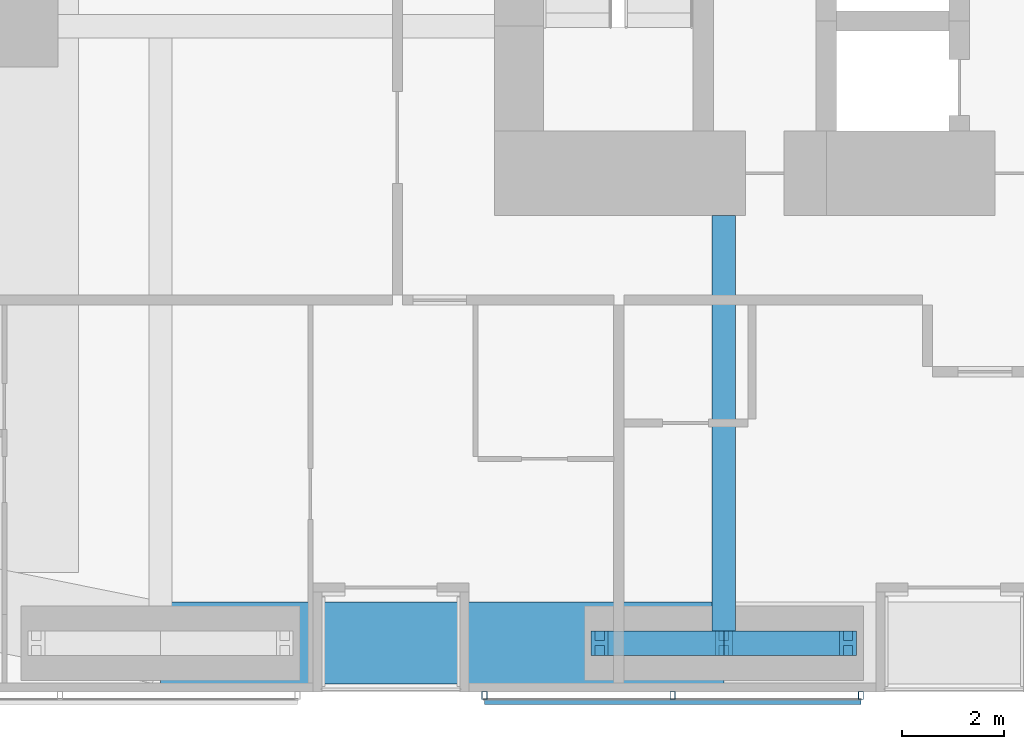
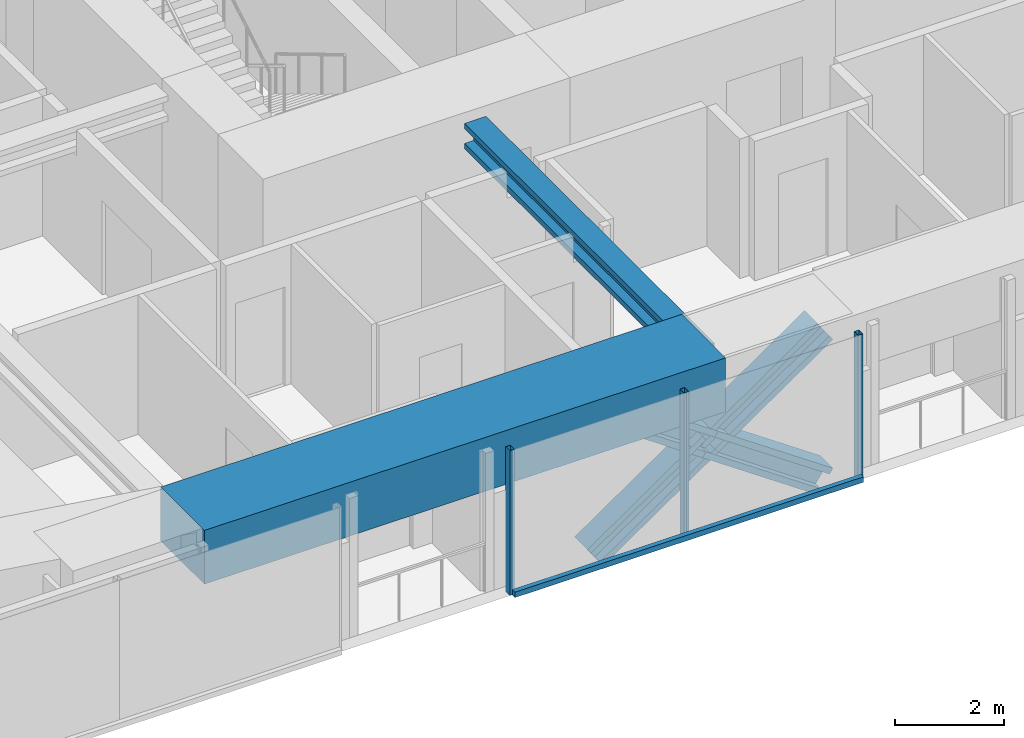
# One storey, part 4 of 23: 8 members, 2 beams, 1 element without a shape of its own.
"""IFC4 building model written with IfcOpenShell, lengths in metres."""

import ifcopenshell
import ifcopenshell.guid

model = None  # the IFC model being written
_history = None  # IfcOwnerHistory: only IFC2X3 demands one
_inside = {}  # id of a spatial element -> (the spatial element, [elements in it])
_under = {}  # id of a project, library or spatial element -> (it, [spatial elements below it])
_declared = {}  # id of a project -> (the project, [libraries it declares])
_typed = {}  # id of a type object -> (the type object, [elements of that type])
_made_of = {}  # id of a material, layer set ... -> (it, [elements and type objects made of it])


def new_model(schema):
    """Start an empty IFC model of exactly this schema.

    Asked for "IFC4X3", IfcOpenShell would pick the latest addendum, in which some entities
    have other attributes; the version numbers below select the first issue.
    IFC2X3 requires an IfcOwnerHistory on every rooted entity: one is made here for all.
    """
    global model, _history
    if schema == "IFC4X3":
        model = ifcopenshell.file(schema_version=(4, 3, 0, 0))
    else:
        model = ifcopenshell.file(schema=schema)
    _inside.clear()
    _under.clear()
    _declared.clear()
    _typed.clear()
    _made_of.clear()
    _history = None
    if model.schema == "IFC2X3":
        org = make("IfcOrganization", Name="unknown")
        user = make(
            "IfcPersonAndOrganization",
            ThePerson=make("IfcPerson", FamilyName="unknown"),
            TheOrganization=org,
        )
        app = make(
            "IfcApplication",
            ApplicationDeveloper=org,
            Version="unknown",
            ApplicationFullName="unknown",
            ApplicationIdentifier="unknown",
        )
        _history = make(
            "IfcOwnerHistory",
            OwningUser=user,
            OwningApplication=app,
            ChangeAction="ADDED",
            CreationDate=0,
        )
    return model


def make(cls, **values):
    """One entity of the class cls with the attributes given. An attribute that is None is left unset."""
    return model.create_entity(
        cls, **{name: value for name, value in values.items() if value is not None}
    )


def rooted(cls, **values):
    """An entity with a GlobalId (a new one), such as an element, a storey or a relation."""
    return make(cls, GlobalId=ifcopenshell.guid.new(), OwnerHistory=_history, **values)


def si_unit(unit_type, name, prefix=None):
    """IfcSIUnit, for example si_unit("LENGTHUNIT", "METRE", prefix="MILLI")."""
    return make("IfcSIUnit", UnitType=unit_type, Prefix=prefix, Name=name)


def assignment(units):
    """IfcUnitAssignment: the units of a project."""
    return None if units is None else make("IfcUnitAssignment", Units=units)


def point(xyz):
    """IfcCartesianPoint."""
    return None if xyz is None else make("IfcCartesianPoint", Coordinates=xyz)


def direction(xyz):
    """IfcDirection."""
    return None if xyz is None else make("IfcDirection", DirectionRatios=xyz)


def frame(location, z_axis=None, x_axis=None):
    """IfcAxis2Placement3D, a coordinate frame: its origin and axes. An axis left out is left unset."""
    return make(
        "IfcAxis2Placement3D",
        Location=point(location),
        Axis=direction(z_axis),
        RefDirection=direction(x_axis),
    )


def frame_2d(location, x_axis=None):
    """IfcAxis2Placement2D, a coordinate frame in the plane: its origin and x axis."""
    return make(
        "IfcAxis2Placement2D", Location=point(location), RefDirection=direction(x_axis)
    )


def origin():
    """The frame at (0, 0, 0) with its axes left unset."""
    return frame((0.0, 0.0, 0.0))


def origin_2d():
    """The frame at (0, 0) in the plane with its x axis left unset."""
    return frame_2d((0.0, 0.0))


def place(relative_to, where):
    """IfcLocalPlacement: puts the frame where relative to a parent placement (None: the world)."""
    return make(
        "IfcLocalPlacement", PlacementRelTo=relative_to, RelativePlacement=where
    )


def context(
    kind, dimensions, precision=None, world=None, true_north=None, identifier=None
):
    """IfcGeometricRepresentationContext, for example the 3D "Model" context."""
    return make(
        "IfcGeometricRepresentationContext",
        ContextIdentifier=identifier,
        ContextType=kind,
        CoordinateSpaceDimension=dimensions,
        Precision=precision,
        WorldCoordinateSystem=world,
        TrueNorth=true_north,
    )


def subcontext(parent, identifier, kind, view, scale=None):
    """IfcGeometricRepresentationSubContext, for example "Body" below "Model"."""
    return make(
        "IfcGeometricRepresentationSubContext",
        ContextIdentifier=identifier,
        ContextType=kind,
        ParentContext=parent,
        TargetScale=scale,
        TargetView=view,
    )


def project(units=None, contexts=None):
    """IfcProject with its units and contexts."""
    return rooted(
        "IfcProject",
        Name="project",
        RepresentationContexts=contexts,
        UnitsInContext=assignment(units),
    )


def spatial(cls, under=None, at=None, **own):
    """A site, building, storey or space (cls), placed at a placement, below another one or the project."""
    s = rooted(cls, ObjectPlacement=at, **own)
    if under is not None:
        _under.setdefault(under.id(), (under, []))[1].append(s)
    return s


def profile(cls, at=None, kind="AREA", **sizes):
    """A parametric profile (cls). Its sizes go by their IFC names, for example OverallWidth=200.0."""
    return make(cls, ProfileType=kind, Position=at, **sizes)


def rectangle(**sizes):
    """IfcRectangleProfileDef."""
    return profile("IfcRectangleProfileDef", **sizes)


def hollow_rectangle(**sizes):
    """IfcRectangleHollowProfileDef."""
    return profile("IfcRectangleHollowProfileDef", **sizes)


def i_section(**sizes):
    """IfcIShapeProfileDef."""
    return profile("IfcIShapeProfileDef", **sizes)


def extrude(swept, where, along, depth):
    """IfcExtrudedAreaSolid: the profile swept, set in the frame where, extruded along a direction by depth."""
    return make(
        "IfcExtrudedAreaSolid",
        SweptArea=swept,
        Position=where,
        ExtrudedDirection=direction(along),
        Depth=depth,
    )


def shape(context_of_items, identifier, shape_type, items):
    """IfcShapeRepresentation: the items that make up one representation, for example the "Body"."""
    return make(
        "IfcShapeRepresentation",
        ContextOfItems=context_of_items,
        RepresentationIdentifier=identifier,
        RepresentationType=shape_type,
        Items=items,
    )


def material(Name=None, Category=None):
    """IfcMaterial."""
    return make("IfcMaterial", Name=Name, Category=Category)


def material_profile(
    of_material, cross_section, Name=None, Category=None, Priority=None
):
    """IfcMaterialProfile: a cross section and its material."""
    return make(
        "IfcMaterialProfile",
        Name=Name,
        Material=of_material,
        Profile=cross_section,
        Priority=Priority,
        Category=Category,
    )


def profile_set(profiles, Name=None, composite=None):
    """IfcMaterialProfileSet."""
    return make(
        "IfcMaterialProfileSet",
        Name=Name,
        MaterialProfiles=profiles,
        CompositeProfile=composite,
    )


def made_of(thing, what):
    """Note that an element or type object is made of a material, layer set ...; save() writes the relation."""
    if what is not None:
        _made_of.setdefault(what.id(), (what, []))[1].append(thing)
    return thing


def type_object(cls, material=None, **own):
    """A type object (cls), such as IfcWallType, which elements share."""
    return made_of(rooted(cls, **own), material)


def element(
    cls,
    number,
    at=None,
    inside=None,
    cuts=None,
    type_object=None,
    material=None,
    context=None,
    identifier="Body",
    shape_type=None,
    held_by="IfcProductDefinitionShape",
    body=None,
    shapes=None,
    **own,
):
    """One element of the class cls, such as IfcWall. Its Tag is "e" and its number.

    at: its placement. inside: the storey or other place that contains it. cuts: it is an
    opening in that element (IfcRelVoidsElement). A single representation is given by context,
    identifier, shape_type and body (its items); several are given by shapes. held_by: the class
    of the entity that holds the representations. save() writes the other relations.
    """
    e = rooted(cls, Tag="e%d" % number, ObjectPlacement=at, **own)
    if body is not None:
        shapes = [shape(context, identifier, shape_type, body)]
    if shapes is not None:
        e.Representation = make(held_by, Representations=shapes)
    if inside is not None:
        _inside.setdefault(inside.id(), (inside, []))[1].append(e)
    if cuts is not None:
        rooted(
            "IfcRelVoidsElement", RelatingBuildingElement=cuts, RelatedOpeningElement=e
        )
    if type_object is not None:
        _typed.setdefault(type_object.id(), (type_object, []))[1].append(e)
    return made_of(e, material)


def aggregate(whole, parts):
    """IfcRelAggregates: a whole, such as a stair, and the parts it consists of."""
    return rooted("IfcRelAggregates", RelatingObject=whole, RelatedObjects=parts)


def save(model, path):
    """Write the relations noted so far, then the file.

    IfcRelAggregates (storeys below a building ...), IfcRelContainedInSpatialStructure (elements
    in a storey), IfcRelDefinesByType, IfcRelAssociatesMaterial and IfcRelDeclares: one each for
    every whole, place, type object, material and project.
    """
    for whole, parts in _under.values():
        aggregate(whole, parts)
    for where, things in _inside.values():
        rooted(
            "IfcRelContainedInSpatialStructure",
            RelatedElements=things,
            RelatingStructure=where,
        )
    for kind, things in _typed.values():
        rooted("IfcRelDefinesByType", RelatedObjects=things, RelatingType=kind)
    for what, things in _made_of.values():
        rooted("IfcRelAssociatesMaterial", RelatedObjects=things, RelatingMaterial=what)
    for by, libraries in _declared.values():
        rooted("IfcRelDeclares", RelatingContext=by, RelatedDefinitions=libraries)
    model.write(path)


model = new_model("IFC4")

# Units and contexts
model_context = context("Model", 3, precision=1e-05, world=origin(), true_north=direction((0.0, 1.0)))
body_context = subcontext(model_context, "Body", "Model", "MODEL_VIEW")
ifc_project = project(units=[si_unit("LENGTHUNIT", "METRE"), si_unit("AREAUNIT", "SQUARE_METRE"), si_unit("VOLUMEUNIT", "CUBIC_METRE"), si_unit("PLANEANGLEUNIT", "RADIAN"), si_unit("MASSUNIT", "GRAM", prefix="KILO")], contexts=[model_context])

# Site, building, storey
site_placement = place(None, origin())
site = spatial("IfcSite", under=ifc_project, at=site_placement, CompositionType="ELEMENT")
building_placement = place(site_placement, origin())
building = spatial("IfcBuilding", under=site, at=building_placement, Name="Jalousie Tower", CompositionType="ELEMENT")
storey_placement = place(building_placement, frame((0.0, 0.0, 37.75)))
storey = spatial("IfcBuildingStorey", under=building, at=storey_placement, Name="L09", CompositionType="ELEMENT", Elevation=37.75)

# Beam
ifc_material_1 = material(Name="Steel ASTM A992 Grade 50", Category="steel")
ifc_material_profile_1 = material_profile(ifc_material_1, i_section(OverallWidth=0.45458984375, OverallDepth=0.569091796875, WebThickness=0.077880859375, FlangeThickness=0.124755859375, at=origin_2d()), Name="W14X730")
ifc_profile_set_1 = profile_set([ifc_material_profile_1], Name="Steel ASTM A992 Grade 50")
beam_type_1 = type_object("IfcBeamType", Name="LEAN COLLECTOR W14X730", PredefinedType="BEAM", material=ifc_profile_set_1)
beam_1_placement = place(storey_placement, frame((24.0, 0.949951171875, 2.825439453125), z_axis=(0.0, 1.0, 0.0), x_axis=(-1.0, 0.0, 0.0)))
element("IfcBeam", 1, at=beam_1_placement, inside=storey, type_object=beam_type_1, Name="Lean collector under L10", PredefinedType="BEAM", context=body_context, shape_type="SweptSolid", body=[
    extrude(i_section(OverallWidth=0.45458984375, OverallDepth=0.569091796875, WebThickness=0.077880859375, FlangeThickness=0.124755859375, at=origin_2d()), origin(), (0.0, 0.0, 1.0), 8.35009765625),
])

# Members
ifc_material_2 = material(Name="Steel ASTM A992 Grade 50", Category="steel")
ifc_material_profile_2 = material_profile(ifc_material_2, i_section(OverallWidth=0.472412109375, OverallDepth=0.5791015625, WebThickness=0.094970703125, FlangeThickness=0.1298828125, at=origin_2d()), Name="W14X808")
ifc_profile_set_2 = profile_set([ifc_material_profile_2], Name="Steel ASTM A992 Grade 50")
member_type_1 = type_object("IfcMemberType", Name="PERIMETER BRACE W14X808", PredefinedType="BRACE", material=ifc_profile_set_2)
for number, where, z_axis, x_axis, name in (
    (2, (21.574951171875, 0.949951171875, -0.60009765625), (0.822800062329, 0.0, 0.568330940062), (0.0, 1.0, 0.0), "Perimeter brace 03 L09 part 1"),
    (3, (24.0, 0.949951171875, 1.074951171875), (0.822800062329, 0.0, 0.568330940062), (0.0, 1.0, 0.0), "Perimeter brace 03 L09 part 2"),
    (4, (26.425048828125, 0.949951171875, -0.60009765625), (-0.822800062329, 0.0, 0.568330940062), (0.0, -1.0, 0.0), "Perimeter brace 03 L09 part 3"),
    (5, (24.0, 0.949951171875, 1.074951171875), (-0.822800062329, 0.0, 0.568330940062), (0.0, -1.0, 0.0), "Perimeter brace 03 L09 part 4"),
):
    element("IfcMember", number, at=place(storey_placement, frame(where, z_axis=z_axis, x_axis=x_axis)), inside=storey, type_object=member_type_1, Name=name, PredefinedType="BRACE", context=body_context, shape_type="SweptSolid", body=[
        extrude(i_section(OverallWidth=0.472412109375, OverallDepth=0.5791015625, WebThickness=0.094970703125, FlangeThickness=0.1298828125, at=origin_2d()), origin(), (0.0, 0.0, 1.0), 2.947265625),
    ])

# Beam
ifc_material_3 = material(Name="Concrete f'c 40 MPa", Category="concrete")
ifc_material_profile_3 = material_profile(ifc_material_3, rectangle(XDim=1.60009765625, YDim=1.199951171875, at=origin_2d()), Name="RC 1600x1200")
ifc_profile_set_3 = profile_set([ifc_material_profile_3], Name="Concrete f'c 40 MPa")
beam_type_2 = type_object("IfcBeamType", Name="RC BEAM 1600x1200", PredefinedType="BEAM", material=ifc_profile_set_3)
beam_2_placement = place(storey_placement, frame((13.0, 0.949951171875, 2.75), z_axis=(1.0, 0.0, 0.0), x_axis=(0.0, 1.0, 0.0)))
element("IfcBeam", 6, at=beam_2_placement, inside=storey, type_object=beam_type_2, Name="Edge band beam 02-03 under L10", PredefinedType="BEAM", context=body_context, shape_type="SweptSolid", body=[
    extrude(rectangle(XDim=1.60009765625, YDim=1.199951171875, at=origin_2d()), origin(), (0.0, 0.0, 1.0), 11.0),
])

# Curtain wall, members
ifc_material_4 = material(Name="Perforated aluminium sheet", Category="aluminium")
curtain_wall_type = type_object("IfcCurtainWallType", Name="SOLAR SCREEN SS-1", PredefinedType="USERDEFINED", material=ifc_material_4)
curtain_wall_placement = place(storey_placement, origin())
curtain_wall = element("IfcCurtainWall", 7, at=curtain_wall_placement, inside=storey, type_object=curtain_wall_type, Name="Solar screen L09", ObjectType="SOLAR SCREEN SS-1", PredefinedType="USERDEFINED")
ifc_material_5 = material(Name="Steel ASTM A500 Grade C", Category="steel")
ifc_material_profile_4 = material_profile(ifc_material_5, hollow_rectangle(XDim=0.1015625, YDim=0.15234375, WallThickness=0.00634765625, at=origin_2d()), Name="HSS6X4X1/4")
ifc_profile_set_4 = profile_set([ifc_material_profile_4], Name="Steel ASTM A500 Grade C")
member_type_2 = type_object("IfcMemberType", Name="SOLAR SCREEN SS-1 MULLION", PredefinedType="MULLION", material=ifc_profile_set_4)
member_1_placement = place(storey_placement, frame((19.324951171875, -0.0712890625, -0.1201171875), z_axis=(0.0, 0.0, 1.0), x_axis=(1.0, 0.0, 0.0)))
member_1 = element("IfcMember", 8, at=member_1_placement, type_object=member_type_2, Name="SS1 post 1", PredefinedType="MULLION", context=body_context, shape_type="SweptSolid", body=[
    extrude(hollow_rectangle(XDim=0.1015625, YDim=0.15234375, WallThickness=0.00634765625, at=origin_2d()), origin(), (0.0, 0.0, 1.0), 3.230224609375),
])
member_2_placement = place(storey_placement, frame((23.0, -0.0712890625, -0.1201171875), z_axis=(0.0, 0.0, 1.0), x_axis=(1.0, 0.0, 0.0)))
member_2 = element("IfcMember", 9, at=member_2_placement, type_object=member_type_2, Name="SS1 post 2", PredefinedType="MULLION", context=body_context, shape_type="SweptSolid", body=[
    extrude(hollow_rectangle(XDim=0.1015625, YDim=0.15234375, WallThickness=0.00634765625, at=origin_2d()), origin(), (0.0, 0.0, 1.0), 3.230224609375),
])
member_3_placement = place(storey_placement, frame((26.675048828125, -0.0712890625, -0.1201171875), z_axis=(0.0, 0.0, 1.0), x_axis=(1.0, 0.0, 0.0)))
member_3 = element("IfcMember", 10, at=member_3_placement, type_object=member_type_2, Name="SS1 post 3", PredefinedType="MULLION", context=body_context, shape_type="SweptSolid", body=[
    extrude(hollow_rectangle(XDim=0.1015625, YDim=0.15234375, WallThickness=0.00634765625, at=origin_2d()), origin(), (0.0, 0.0, 1.0), 3.230224609375),
])
ifc_material_6 = material(Name="Extruded aluminium screen rail", Category="aluminium")
ifc_material_profile_5 = material_profile(ifc_material_6, rectangle(XDim=0.1015625, YDim=0.1201171875, at=origin_2d()), Name="RAIL 102x120")
ifc_profile_set_5 = profile_set([ifc_material_profile_5], Name="Extruded aluminium screen rail")
member_type_3 = type_object("IfcMemberType", Name="SOLAR SCREEN SS-1 TRANSOM", PredefinedType="USERDEFINED", material=ifc_profile_set_5)
member_4_placement = place(storey_placement, frame((19.324951171875, -0.1982421875, -0.06005859375), z_axis=(1.0, 0.0, 0.0), x_axis=(0.0, 1.0, 0.0)))
member_4 = element("IfcMember", 11, at=member_4_placement, type_object=member_type_3, Name="SS1 rail", ObjectType="TRANSOM", PredefinedType="USERDEFINED", context=body_context, shape_type="SweptSolid", body=[
    extrude(rectangle(XDim=0.1015625, YDim=0.1201171875, at=origin_2d()), origin(), (0.0, 0.0, 1.0), 7.35009765625),
])
aggregate(curtain_wall, [member_1, member_2, member_3, member_4])

save(model, "model.ifc")
